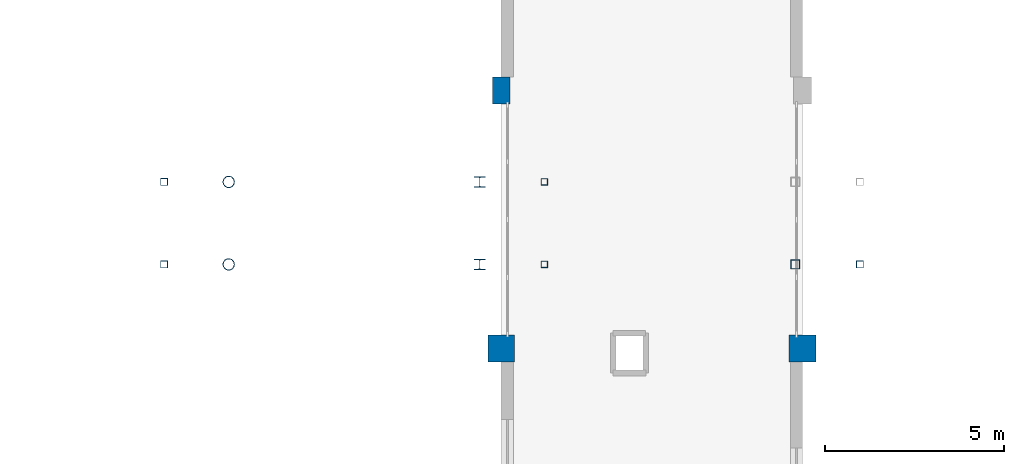
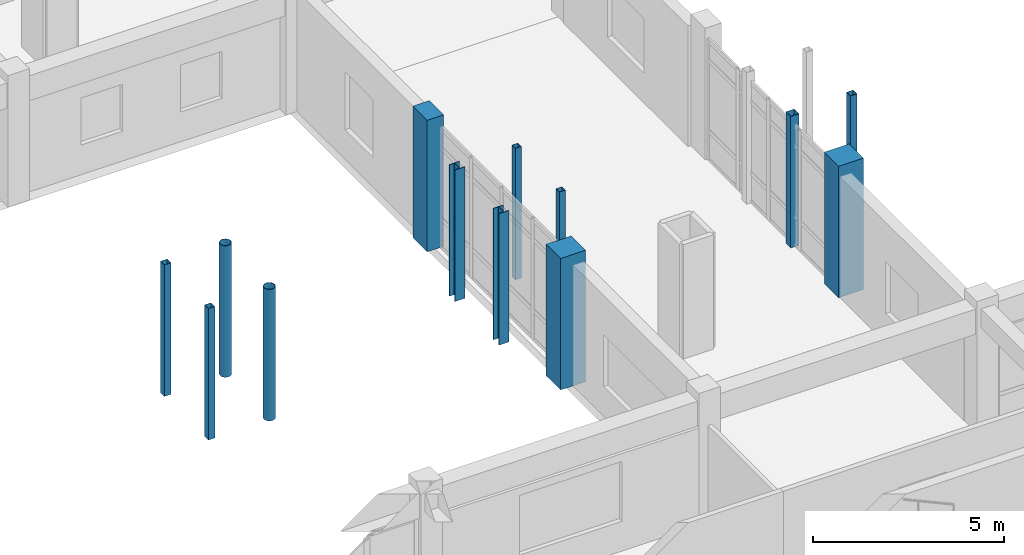
# One storey, part 23 of 147: 13 columns.
"""IFC4 building model written with IfcOpenShell, lengths in metres."""

from ifc_helpers import new_model, si_unit, direction, frame, origin, origin_2d, place, context, subcontext, project, spatial, rectangle, hollow_rectangle, hollow_circle, i_section, extrude, material, material_profile, profile_set, type_object, element, save


model = new_model("IFC4")

# Units and contexts
model_context = context("Model", 3, precision=1e-05, world=origin(), true_north=direction((0.0, 1.0)))
body_context = subcontext(model_context, "Body", "Model", "MODEL_VIEW")
ifc_project = project(units=[si_unit("LENGTHUNIT", "METRE"), si_unit("AREAUNIT", "SQUARE_METRE"), si_unit("VOLUMEUNIT", "CUBIC_METRE"), si_unit("PLANEANGLEUNIT", "RADIAN"), si_unit("MASSUNIT", "GRAM", prefix="KILO")], contexts=[model_context])

# Site, building, storey
site_placement = place(None, origin())
site = spatial("IfcSite", under=ifc_project, at=site_placement, CompositionType="ELEMENT")
building_placement = place(site_placement, origin())
building = spatial("IfcBuilding", under=site, at=building_placement, Name="Malvenik Polytechnic", CompositionType="ELEMENT")
storey_placement = place(building_placement, frame((0.0, 0.0, 5.10009765625)))
storey = spatial("IfcBuildingStorey", under=building, at=storey_placement, Name="L01", CompositionType="ELEMENT", Elevation=5.10009765625)

# Columns
ifc_material_1 = material(Name="Concrete C40/50", Category="concrete")
ifc_material_profile_1 = material_profile(ifc_material_1, rectangle(XDim=0.75, YDim=0.75, at=origin_2d()), Name="RC COL 750x750")
ifc_profile_set_1 = profile_set([ifc_material_profile_1], Name="Concrete C40/50")
column_type_1 = type_object("IfcColumnType", Name="STR-COL-C-03", PredefinedType="COLUMN", material=ifc_profile_set_1)
for number, where, z_axis, x_axis, name in (
    (1, (75.60009765625, 100.800048828125, 0.0), (0.0, 0.0, 1.0), (1.0, 0.0, 0.0), "Column C-03 L01 (75.6,100.8)"),
    (2, (84.0, 100.800048828125, 0.0), (0.0, 0.0, 1.0), (1.0, 0.0, 0.0), "Column C-03 L01 (84.0,100.8)"),
):
    element("IfcColumn", number, at=place(storey_placement, frame(where, z_axis=z_axis, x_axis=x_axis)), inside=storey, type_object=column_type_1, Name=name, PredefinedType="COLUMN", context=body_context, shape_type="SweptSolid", body=[
        extrude(rectangle(XDim=0.75, YDim=0.75, at=origin_2d()), origin(), (0.0, 0.0, 1.0), 4.199951171875),
    ])
ifc_material_2 = material(Name="Concrete C35/45", Category="concrete")
ifc_material_profile_2 = material_profile(ifc_material_2, rectangle(XDim=0.5, YDim=0.75, at=origin_2d()), Name="RC COL 750x500")
ifc_profile_set_2 = profile_set([ifc_material_profile_2], Name="Concrete C35/45")
column_type_2 = type_object("IfcColumnType", Name="STR-COL-C-14", PredefinedType="COLUMN", material=ifc_profile_set_2)
column_1_placement = place(storey_placement, frame((75.60009765625, 108.0, 0.0), z_axis=(0.0, 0.0, 1.0), x_axis=(1.0, 0.0, 0.0)))
element("IfcColumn", 3, at=column_1_placement, inside=storey, type_object=column_type_2, Name="Column C-14 L01 (75.6,108.0)", PredefinedType="COLUMN", context=body_context, shape_type="SweptSolid", body=[
    extrude(rectangle(XDim=0.5, YDim=0.75, at=origin_2d()), origin(), (0.0, 0.0, 1.0), 4.199951171875),
])
ifc_material_3 = material(Name="Steel S355J2H", Category="steel")
ifc_material_profile_3 = material_profile(ifc_material_3, hollow_rectangle(XDim=0.25, YDim=0.25, WallThickness=0.010009765625, at=origin_2d()), Name="SHS 250x250x10.0")
ifc_profile_set_3 = profile_set([ifc_material_profile_3], Name="Steel S355J2H")
column_type_3 = type_object("IfcColumnType", Name="STR-SCOL-SC-01", PredefinedType="COLUMN", material=ifc_profile_set_3)
column_2_placement = place(storey_placement, frame((83.800048828125, 103.14990234375, 0.0), z_axis=(0.0, 0.0, 1.0), x_axis=(1.0, 0.0, 0.0)))
element("IfcColumn", 4, at=column_2_placement, inside=storey, type_object=column_type_3, Name="Bridge-Ramp Support Column SC-01 L01", PredefinedType="COLUMN", context=body_context, shape_type="SweptSolid", body=[
    extrude(hollow_rectangle(XDim=0.25, YDim=0.25, WallThickness=0.010009765625, at=origin_2d()), origin(), (0.0, 0.0, 1.0), 4.199951171875),
])
ifc_material_profile_4 = material_profile(ifc_material_3, hollow_rectangle(XDim=0.199951171875, YDim=0.199951171875, WallThickness=0.010009765625, at=origin_2d()), Name="SHS 200x200x10.0")
ifc_profile_set_4 = profile_set([ifc_material_profile_4], Name="Steel S355J2H")
column_type_4 = type_object("IfcColumnType", Name="STR-SCOL-SC-02", PredefinedType="COLUMN", material=ifc_profile_set_4)
for number, where, z_axis, x_axis, name in (
    (5, (66.199951171875, 103.14990234375, 0.0), (0.0, 0.0, 1.0), (1.0, 0.0, 0.0), "Bridge-Ramp Support Column SC-02 L01"),
    (6, (66.199951171875, 105.449951171875, 0.0), (0.0, 0.0, 1.0), (1.0, 0.0, 0.0), "Bridge-Ramp Support Column SC-02 L01"),
    (7, (85.60009765625, 103.14990234375, 0.0), (0.0, 0.0, 1.0), (1.0, 0.0, 0.0), "Bridge-Ramp Support Column SC-02 L01"),
):
    element("IfcColumn", number, at=place(storey_placement, frame(where, z_axis=z_axis, x_axis=x_axis)), inside=storey, type_object=column_type_4, Name=name, PredefinedType="COLUMN", context=body_context, shape_type="SweptSolid", body=[
        extrude(hollow_rectangle(XDim=0.199951171875, YDim=0.199951171875, WallThickness=0.010009765625, at=origin_2d()), origin(), (0.0, 0.0, 1.0), 4.199951171875),
    ])
ifc_material_profile_5 = material_profile(ifc_material_3, hollow_circle(Radius=0.161865234375, WallThickness=0.012451171875, at=origin_2d()), Name="CHS 323.9x12.5")
ifc_profile_set_5 = profile_set([ifc_material_profile_5], Name="Steel S355J2H")
column_type_5 = type_object("IfcColumnType", Name="STR-SCOL-SC-04", PredefinedType="COLUMN", material=ifc_profile_set_5)
for number, where, z_axis, x_axis, name in (
    (8, (68.0, 103.14990234375, 0.0), (0.0, 0.0, 1.0), (1.0, 0.0, 0.0), "Bridge-Ramp Support Column SC-04 L01"),
    (9, (68.0, 105.449951171875, 0.0), (0.0, 0.0, 1.0), (1.0, 0.0, 0.0), "Bridge-Ramp Support Column SC-04 L01"),
):
    element("IfcColumn", number, at=place(storey_placement, frame(where, z_axis=z_axis, x_axis=x_axis)), inside=storey, type_object=column_type_5, Name=name, PredefinedType="COLUMN", context=body_context, shape_type="SweptSolid", body=[
        extrude(hollow_circle(Radius=0.161865234375, WallThickness=0.012451171875, at=origin_2d()), origin(), (0.0, 0.0, 1.0), 4.199951171875),
    ])
ifc_material_4 = material(Name="Steel S355", Category="steel")
ifc_material_profile_6 = material_profile(ifc_material_4, i_section(OverallWidth=0.300048828125, OverallDepth=0.300048828125, WebThickness=0.010986328125, FlangeThickness=0.01904296875, FilletRadius=0.027099609375, at=origin_2d()), Name="HEB 300")
ifc_profile_set_6 = profile_set([ifc_material_profile_6], Name="Steel S355")
column_type_6 = type_object("IfcColumnType", Name="STR-SCOL-SC-05", PredefinedType="COLUMN", material=ifc_profile_set_6)
for number, where, z_axis, x_axis, name in (
    (10, (75.0, 103.14990234375, 0.0), (0.0, 0.0, 1.0), (1.0, 0.0, 0.0), "Bridge-Ramp Support Column SC-05 L01"),
    (11, (75.0, 105.449951171875, 0.0), (0.0, 0.0, 1.0), (1.0, 0.0, 0.0), "Bridge-Ramp Support Column SC-05 L01"),
):
    element("IfcColumn", number, at=place(storey_placement, frame(where, z_axis=z_axis, x_axis=x_axis)), inside=storey, type_object=column_type_6, Name=name, PredefinedType="COLUMN", context=body_context, shape_type="SweptSolid", body=[
        extrude(i_section(OverallWidth=0.300048828125, OverallDepth=0.300048828125, WebThickness=0.010986328125, FlangeThickness=0.01904296875, FilletRadius=0.027099609375, at=origin_2d()), origin(), (0.0, 0.0, 1.0), 4.199951171875),
    ])
ifc_material_profile_7 = material_profile(ifc_material_3, hollow_rectangle(XDim=0.179931640625, YDim=0.179931640625, WallThickness=0.008056640625, at=origin_2d()), Name="SHS 180x180x8.0")
ifc_profile_set_7 = profile_set([ifc_material_profile_7], Name="Steel S355J2H")
column_type_7 = type_object("IfcColumnType", Name="STR-SCOL-SC-06", PredefinedType="COLUMN", material=ifc_profile_set_7)
for number, where, z_axis, x_axis, name in (
    (12, (76.800048828125, 103.14990234375, 0.0), (0.0, 0.0, 1.0), (1.0, 0.0, 0.0), "Bridge-Ramp Support Column SC-06 L01"),
    (13, (76.800048828125, 105.449951171875, 0.0), (0.0, 0.0, 1.0), (1.0, 0.0, 0.0), "Bridge-Ramp Support Column SC-06 L01"),
):
    element("IfcColumn", number, at=place(storey_placement, frame(where, z_axis=z_axis, x_axis=x_axis)), inside=storey, type_object=column_type_7, Name=name, PredefinedType="COLUMN", context=body_context, shape_type="SweptSolid", body=[
        extrude(hollow_rectangle(XDim=0.179931640625, YDim=0.179931640625, WallThickness=0.008056640625, at=origin_2d()), origin(), (0.0, 0.0, 1.0), 4.199951171875),
    ])

save(model, "model.ifc")
